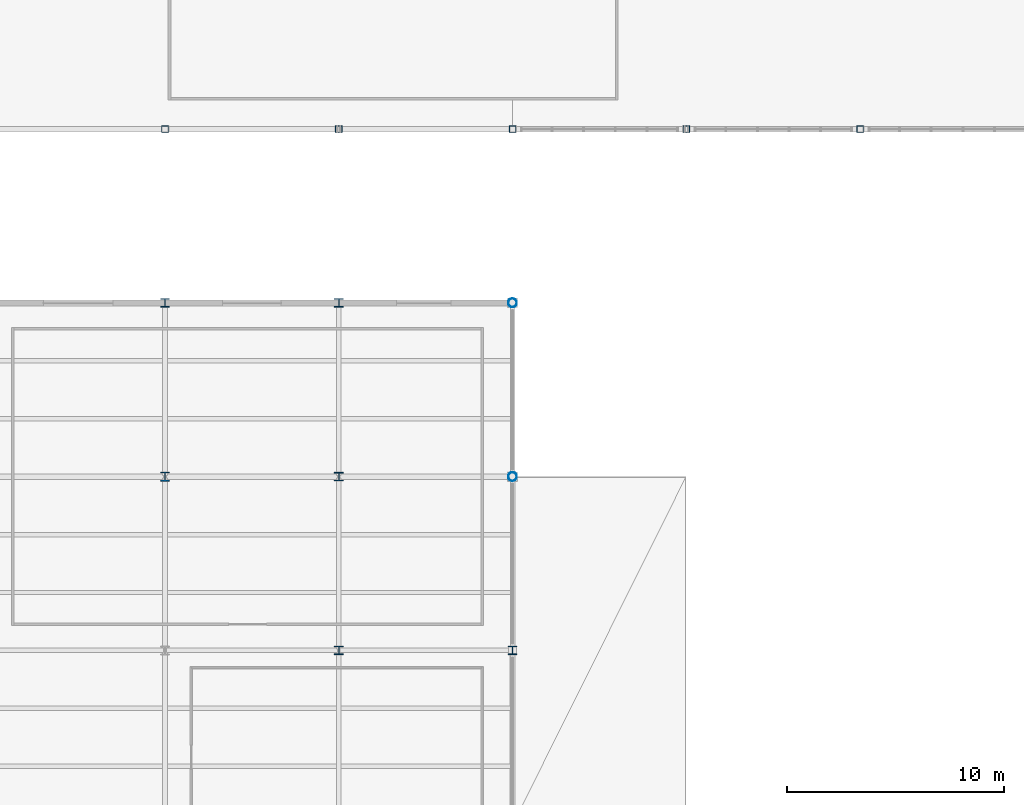
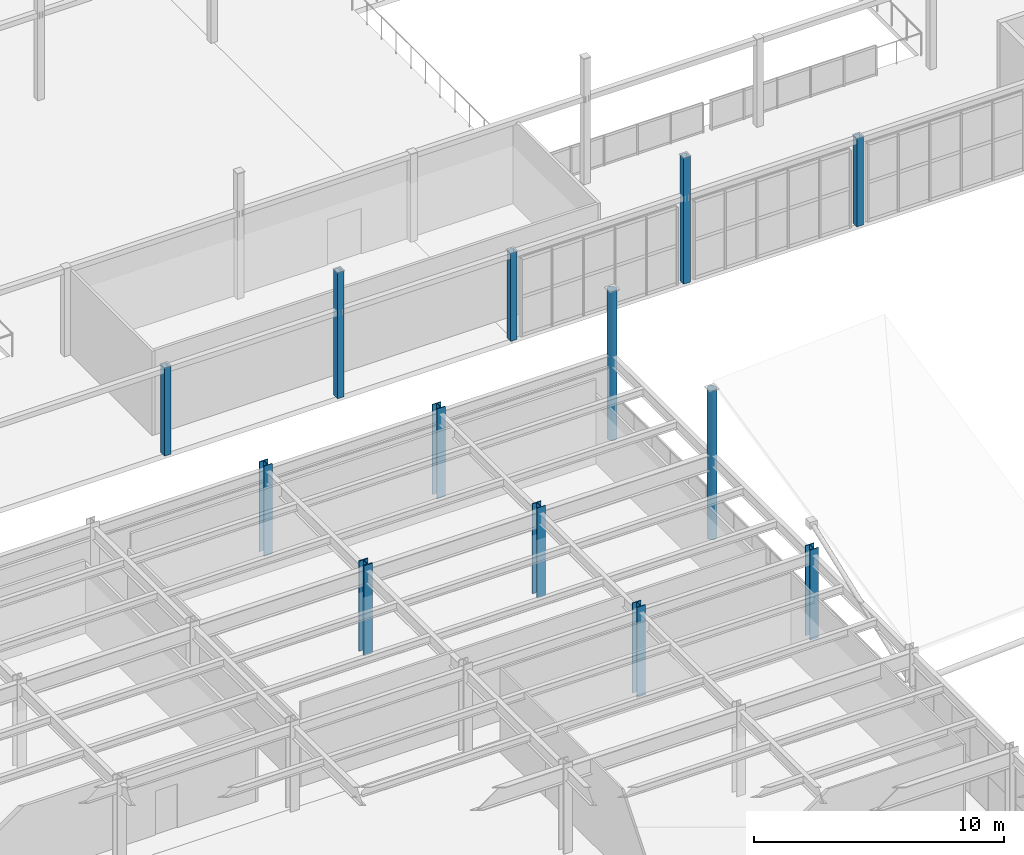
# One storey, part 3 of 83: 13 columns.
"""IFC4 building model written with IfcOpenShell, lengths in metres."""

from ifc_helpers import new_model, si_unit, direction, frame, origin, origin_2d, place, context, subcontext, project, spatial, hollow_rectangle, hollow_circle, i_section, extrude, material, material_profile, profile_set, type_object, element, save


model = new_model("IFC4")

# Units and contexts
model_context = context("Model", 3, precision=1e-05, world=origin(), true_north=direction((0.0, 1.0)))
body_context = subcontext(model_context, "Body", "Model", "MODEL_VIEW")
ifc_project = project(units=[si_unit("LENGTHUNIT", "METRE"), si_unit("AREAUNIT", "SQUARE_METRE"), si_unit("VOLUMEUNIT", "CUBIC_METRE"), si_unit("PLANEANGLEUNIT", "RADIAN"), si_unit("MASSUNIT", "GRAM", prefix="KILO")], contexts=[model_context])

# Site, building, storey
site_placement = place(None, origin())
site = spatial("IfcSite", under=ifc_project, at=site_placement, CompositionType="ELEMENT")
building_placement = place(site_placement, origin())
building = spatial("IfcBuilding", under=site, at=building_placement, Name="Drelvath Fold Interchange", CompositionType="ELEMENT")
storey_placement = place(building_placement, frame((0.0, 0.0, 11.199951171875)))
storey = spatial("IfcBuildingStorey", under=building, at=storey_placement, Name="L02", CompositionType="ELEMENT", Elevation=11.199951171875)

# Columns
ifc_material_1 = material(Name="Steel ASTM A500 Grade C", Category="steel")
ifc_material_profile_1 = material_profile(ifc_material_1, hollow_circle(Radius=0.202880859375, WallThickness=0.014892578125, at=origin_2d()), Name="HSS16.000X0.625")
ifc_profile_set_1 = profile_set([ifc_material_profile_1], Name="Steel ASTM A500 Grade C")
column_type_1 = type_object("IfcColumnType", Name="COL-CHS406", PredefinedType="COLUMN", material=ifc_profile_set_1)
for number, where, z_axis, x_axis, name in (
    (1, (52.0, 43.0, 0.0), (0.0, 0.0, 1.0), (1.0, 0.0, 0.0), "L02 column (52,43)"),
    (2, (52.0, 51.0, 0.0), (0.0, 0.0, 1.0), (1.0, 0.0, 0.0), "L02 column (52,51)"),
):
    element("IfcColumn", number, at=place(storey_placement, frame(where, z_axis=z_axis, x_axis=x_axis)), inside=storey, type_object=column_type_1, Name=name, PredefinedType="COLUMN", context=body_context, shape_type="SweptSolid", body=[
        extrude(hollow_circle(Radius=0.202880859375, WallThickness=0.014892578125, at=origin_2d()), origin(), (0.0, 0.0, 1.0), 7.2900390625),
    ])
ifc_material_profile_2 = material_profile(ifc_material_1, hollow_rectangle(XDim=0.304931640625, YDim=0.304931640625, WallThickness=0.01171875, at=origin_2d()), Name="HSS12X12X1/2")
ifc_profile_set_2 = profile_set([ifc_material_profile_2], Name="Steel ASTM A500 Grade C")
column_type_2 = type_object("IfcColumnType", Name="COL-HSS305", PredefinedType="COLUMN", material=ifc_profile_set_2)
column_1_placement = place(storey_placement, frame((36.0, 59.0, 0.0), z_axis=(0.0, 0.0, 1.0), x_axis=(1.0, 0.0, 0.0)))
element("IfcColumn", 3, at=column_1_placement, inside=storey, type_object=column_type_2, Name="L02 column (36,59)", PredefinedType="COLUMN", context=body_context, shape_type="SweptSolid", body=[
    extrude(hollow_rectangle(XDim=0.304931640625, YDim=0.304931640625, WallThickness=0.01171875, at=origin_2d()), origin(), (0.0, 0.0, 1.0), 4.300048828125),
])
column_2_placement = place(storey_placement, frame((44.0, 59.0, 0.0), z_axis=(0.0, 0.0, 1.0), x_axis=(1.0, 0.0, 0.0)))
element("IfcColumn", 4, at=column_2_placement, inside=storey, type_object=column_type_2, Name="L02 column (44,59)", PredefinedType="COLUMN", context=body_context, shape_type="SweptSolid", body=[
    extrude(hollow_rectangle(XDim=0.304931640625, YDim=0.304931640625, WallThickness=0.01171875, at=origin_2d()), origin(), (0.0, 0.0, 1.0), 6.150146484375),
])
column_3_placement = place(storey_placement, frame((52.0, 59.0, 0.0), z_axis=(0.0, 0.0, 1.0), x_axis=(1.0, 0.0, 0.0)))
element("IfcColumn", 5, at=column_3_placement, inside=storey, type_object=column_type_2, Name="L02 column (52,59)", PredefinedType="COLUMN", context=body_context, shape_type="SweptSolid", body=[
    extrude(hollow_rectangle(XDim=0.304931640625, YDim=0.304931640625, WallThickness=0.01171875, at=origin_2d()), origin(), (0.0, 0.0, 1.0), 4.300048828125),
])
column_4_placement = place(storey_placement, frame((60.0, 59.0, 0.0), z_axis=(0.0, 0.0, 1.0), x_axis=(1.0, 0.0, 0.0)))
element("IfcColumn", 6, at=column_4_placement, inside=storey, type_object=column_type_2, Name="L02 column (60,59)", PredefinedType="COLUMN", context=body_context, shape_type="SweptSolid", body=[
    extrude(hollow_rectangle(XDim=0.304931640625, YDim=0.304931640625, WallThickness=0.01171875, at=origin_2d()), origin(), (0.0, 0.0, 1.0), 6.150146484375),
])
column_5_placement = place(storey_placement, frame((68.0, 59.0, 0.0), z_axis=(0.0, 0.0, 1.0), x_axis=(1.0, 0.0, 0.0)))
element("IfcColumn", 7, at=column_5_placement, inside=storey, type_object=column_type_2, Name="L02 column (68,59)", PredefinedType="COLUMN", context=body_context, shape_type="SweptSolid", body=[
    extrude(hollow_rectangle(XDim=0.304931640625, YDim=0.304931640625, WallThickness=0.01171875, at=origin_2d()), origin(), (0.0, 0.0, 1.0), 4.300048828125),
])
ifc_material_2 = material(Name="Steel ASTM A992 Grade 50", Category="steel")
ifc_material_profile_3 = material_profile(ifc_material_2, i_section(OverallWidth=0.39892578125, OverallDepth=0.39306640625, WebThickness=0.022705078125, FlangeThickness=0.03662109375, at=origin_2d()), Name="W14X193")
ifc_profile_set_3 = profile_set([ifc_material_profile_3], Name="Steel ASTM A992 Grade 50")
column_type_3 = type_object("IfcColumnType", Name="COL-W14X193", PredefinedType="COLUMN", material=ifc_profile_set_3)
for number, where, z_axis, x_axis, name in (
    (8, (36.0, 51.0, 0.0), (0.0, 0.0, 1.0), (1.0, 0.0, 0.0), "L02 column (36,51)"),
    (9, (44.0, 35.0, 0.0), (0.0, 0.0, 1.0), (1.0, 0.0, 0.0), "L02 column (44,35)"),
    (10, (44.0, 43.0, 0.0), (0.0, 0.0, 1.0), (1.0, 0.0, 0.0), "L02 column (44,43)"),
    (11, (44.0, 51.0, 0.0), (0.0, 0.0, 1.0), (1.0, 0.0, 0.0), "L02 column (44,51)"),
    (12, (52.0, 35.0, 0.0), (0.0, 0.0, 1.0), (1.0, 0.0, 0.0), "L02 column (52,35)"),
):
    element("IfcColumn", number, at=place(storey_placement, frame(where, z_axis=z_axis, x_axis=x_axis)), inside=storey, type_object=column_type_3, Name=name, PredefinedType="COLUMN", context=body_context, shape_type="SweptSolid", body=[
        extrude(i_section(OverallWidth=0.39892578125, OverallDepth=0.39306640625, WebThickness=0.022705078125, FlangeThickness=0.03662109375, at=origin_2d()), origin(), (0.0, 0.0, 1.0), 4.400146484375),
    ])
ifc_material_profile_4 = material_profile(ifc_material_2, i_section(OverallWidth=0.408935546875, OverallDepth=0.425048828125, WebThickness=0.03271484375, FlangeThickness=0.052490234375, at=origin_2d()), Name="W14X283")
ifc_profile_set_4 = profile_set([ifc_material_profile_4], Name="Steel ASTM A992 Grade 50")
column_type_4 = type_object("IfcColumnType", Name="COL-W14X283", PredefinedType="COLUMN", material=ifc_profile_set_4)
column_6_placement = place(storey_placement, frame((36.0, 43.0, 0.0), z_axis=(0.0, 0.0, 1.0), x_axis=(1.0, 0.0, 0.0)))
element("IfcColumn", 13, at=column_6_placement, inside=storey, type_object=column_type_4, Name="L02 column (36,43)", PredefinedType="COLUMN", context=body_context, shape_type="SweptSolid", body=[
    extrude(i_section(OverallWidth=0.408935546875, OverallDepth=0.425048828125, WebThickness=0.03271484375, FlangeThickness=0.052490234375, at=origin_2d()), origin(), (0.0, 0.0, 1.0), 4.400146484375),
])

save(model, "model.ifc")
